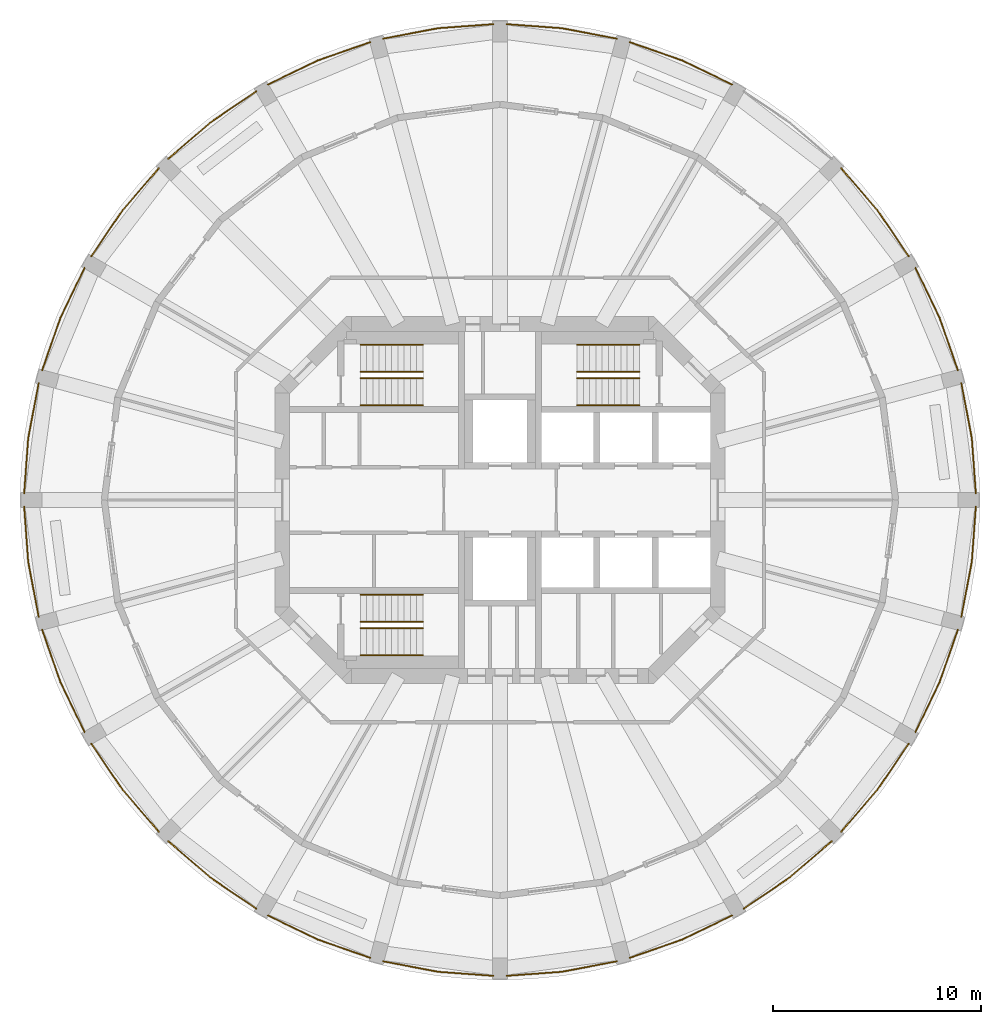
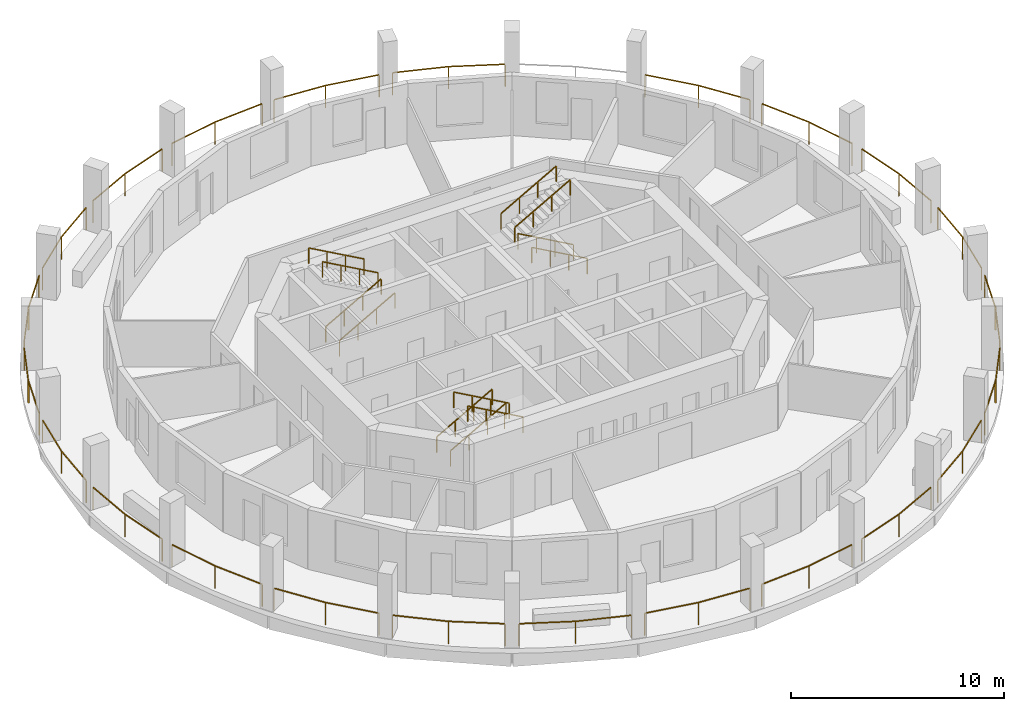
# One storey, part 8 of 9: 35 railings.
"""IFC4 building model written with IfcOpenShell, lengths in metres."""

from ifc_helpers import new_model, si_unit, direction, frame, origin, origin_2d, place, context, subcontext, project, spatial, rectangle, extrude, material, type_object, element, save


model = new_model("IFC4")

# Units and contexts
model_context = context("Model", 3, precision=1e-05, world=origin(), true_north=direction((0.0, 1.0)))
body_context = subcontext(model_context, "Body", "Model", "MODEL_VIEW")
ifc_project = project(units=[si_unit("LENGTHUNIT", "METRE"), si_unit("AREAUNIT", "SQUARE_METRE"), si_unit("VOLUMEUNIT", "CUBIC_METRE"), si_unit("PLANEANGLEUNIT", "RADIAN"), si_unit("MASSUNIT", "GRAM", prefix="KILO")], contexts=[model_context])

# Site, building, storey
site_placement = place(None, origin())
site = spatial("IfcSite", under=ifc_project, at=site_placement, CompositionType="ELEMENT")
building_placement = place(site_placement, origin())
building = spatial("IfcBuilding", under=site, at=building_placement, Name="Torre Triforio", CompositionType="ELEMENT")
storey_placement = place(building_placement, frame((0.0, 0.0, 169.0)))
storey = spatial("IfcBuildingStorey", under=building, at=storey_placement, Name="L38", CompositionType="ELEMENT", Elevation=169.0)

# Railings
ifc_material = material(Name="Stainless steel AISI 316", Category="steel")
railing_type_1 = type_object("IfcRailingType", Name="HANDRAIL 920", PredefinedType="HANDRAIL", material=ifc_material)
for number, where, name in (
    (1, (-6.699951171875, 4.550048828125, 0.168212890625), "Handrail ST1"),
    (2, (-6.699951171875, 5.85009765625, 0.168212890625), "Handrail ST1"),
):
    element("IfcRailing", number, at=place(storey_placement, frame(where)), inside=storey, type_object=railing_type_1, Name=name, PredefinedType="HANDRAIL", context=body_context, shape_type="SweptSolid", body=[
        extrude(rectangle(XDim=0.048095703125, YDim=0.048095703125, at=origin_2d()), frame((0.0, 0.0, 0.89599609375), z_axis=(0.872272294576, 0.0, 0.489020494575), x_axis=(0.0, 1.0, 0.0)), (0.0, 0.0, 1.0), 3.439208984375),
        extrude(rectangle(XDim=0.0419921875, YDim=0.0419921875, at=origin_2d()), origin(), (0.0, 0.0, 1.0), 0.871826171875),
        extrude(rectangle(XDim=0.0419921875, YDim=0.0419921875, at=origin_2d()), frame((1.0, 0.0, 0.560546875)), (0.0, 0.0, 1.0), 0.871826171875),
        extrude(rectangle(XDim=0.0419921875, YDim=0.0419921875, at=origin_2d()), frame((2.0, 0.0, 1.121337890625)), (0.0, 0.0, 1.0), 0.871826171875),
        extrude(rectangle(XDim=0.0419921875, YDim=0.0419921875, at=origin_2d()), frame((3.0, 0.0, 1.681884765625)), (0.0, 0.0, 1.0), 0.871826171875),
    ])
for number, where, name in (
    (3, (-3.699951171875, 7.449951171875, 2.01806640625), "Handrail ST1"),
    (4, (-3.699951171875, 6.14990234375, 2.01806640625), "Handrail ST1"),
    (5, (6.699951171875, 4.550048828125, 0.168212890625), "Handrail ST2"),
    (6, (6.699951171875, 5.85009765625, 0.168212890625), "Handrail ST2"),
):
    element("IfcRailing", number, at=place(storey_placement, frame(where)), inside=storey, type_object=railing_type_1, Name=name, PredefinedType="HANDRAIL", context=body_context, shape_type="SweptSolid", body=[
        extrude(rectangle(XDim=0.048095703125, YDim=0.048095703125, at=origin_2d()), frame((0.0, 0.0, 0.89599609375), z_axis=(-0.872272294576, 0.0, 0.489020494575), x_axis=(0.0, -1.0, 0.0)), (0.0, 0.0, 1.0), 3.439208984375),
        extrude(rectangle(XDim=0.0419921875, YDim=0.0419921875, at=origin_2d()), origin(), (0.0, 0.0, 1.0), 0.871826171875),
        extrude(rectangle(XDim=0.0419921875, YDim=0.0419921875, at=origin_2d()), frame((-1.0, 0.0, 0.560546875)), (0.0, 0.0, 1.0), 0.871826171875),
        extrude(rectangle(XDim=0.0419921875, YDim=0.0419921875, at=origin_2d()), frame((-2.0, 0.0, 1.121337890625)), (0.0, 0.0, 1.0), 0.871826171875),
        extrude(rectangle(XDim=0.0419921875, YDim=0.0419921875, at=origin_2d()), frame((-3.0, 0.0, 1.681884765625)), (0.0, 0.0, 1.0), 0.871826171875),
    ])
for number, where, name in (
    (7, (3.699951171875, 7.449951171875, 2.01806640625), "Handrail ST2"),
    (8, (3.699951171875, 6.14990234375, 2.01806640625), "Handrail ST2"),
    (9, (-6.699951171875, -4.550048828125, 0.168212890625), "Handrail ST3"),
    (10, (-6.699951171875, -5.85009765625, 0.168212890625), "Handrail ST3"),
):
    element("IfcRailing", number, at=place(storey_placement, frame(where)), inside=storey, type_object=railing_type_1, Name=name, PredefinedType="HANDRAIL", context=body_context, shape_type="SweptSolid", body=[
        extrude(rectangle(XDim=0.048095703125, YDim=0.048095703125, at=origin_2d()), frame((0.0, 0.0, 0.89599609375), z_axis=(0.872272294576, 0.0, 0.489020494575), x_axis=(0.0, 1.0, 0.0)), (0.0, 0.0, 1.0), 3.439208984375),
        extrude(rectangle(XDim=0.0419921875, YDim=0.0419921875, at=origin_2d()), origin(), (0.0, 0.0, 1.0), 0.871826171875),
        extrude(rectangle(XDim=0.0419921875, YDim=0.0419921875, at=origin_2d()), frame((1.0, 0.0, 0.560546875)), (0.0, 0.0, 1.0), 0.871826171875),
        extrude(rectangle(XDim=0.0419921875, YDim=0.0419921875, at=origin_2d()), frame((2.0, 0.0, 1.121337890625)), (0.0, 0.0, 1.0), 0.871826171875),
        extrude(rectangle(XDim=0.0419921875, YDim=0.0419921875, at=origin_2d()), frame((3.0, 0.0, 1.681884765625)), (0.0, 0.0, 1.0), 0.871826171875),
    ])
for number, where, name in (
    (11, (-3.699951171875, -7.449951171875, 2.01806640625), "Handrail ST3"),
    (12, (-3.699951171875, -6.14990234375, 2.01806640625), "Handrail ST3"),
):
    element("IfcRailing", number, at=place(storey_placement, frame(where)), inside=storey, type_object=railing_type_1, Name=name, PredefinedType="HANDRAIL", context=body_context, shape_type="SweptSolid", body=[
        extrude(rectangle(XDim=0.048095703125, YDim=0.048095703125, at=origin_2d()), frame((0.0, 0.0, 0.89599609375), z_axis=(-0.872272294576, 0.0, 0.489020494575), x_axis=(0.0, -1.0, 0.0)), (0.0, 0.0, 1.0), 3.439208984375),
        extrude(rectangle(XDim=0.0419921875, YDim=0.0419921875, at=origin_2d()), origin(), (0.0, 0.0, 1.0), 0.871826171875),
        extrude(rectangle(XDim=0.0419921875, YDim=0.0419921875, at=origin_2d()), frame((-1.0, 0.0, 0.560546875)), (0.0, 0.0, 1.0), 0.871826171875),
        extrude(rectangle(XDim=0.0419921875, YDim=0.0419921875, at=origin_2d()), frame((-2.0, 0.0, 1.121337890625)), (0.0, 0.0, 1.0), 0.871826171875),
        extrude(rectangle(XDim=0.0419921875, YDim=0.0419921875, at=origin_2d()), frame((-3.0, 0.0, 1.681884765625)), (0.0, 0.0, 1.0), 0.871826171875),
    ])
railing_type_2 = type_object("IfcRailingType", Name="Loggia guard 1300", PredefinedType="GUARDRAIL", material=ifc_material)
railing_1_placement = place(storey_placement, frame((22.85009765625, 0.320068359375, 0.0)))
element("IfcRailing", 13, at=railing_1_placement, inside=storey, type_object=railing_type_2, Name="Loggia guard L38 bay 01", PredefinedType="GUARDRAIL", context=body_context, shape_type="SweptSolid", body=[
    extrude(rectangle(XDim=0.050048828125, YDim=0.050048828125, at=origin_2d()), frame((0.0, 0.0, 1.27490234375), z_axis=(-0.073255194528, 0.997313228868, 0.0), x_axis=(-0.997313228868, -0.073255194528, 0.0)), (0.0, 0.0, 1.0), 2.66943359375),
    extrude(rectangle(XDim=0.050048828125, YDim=0.050048828125, at=origin_2d()), frame((-0.195556640625, 2.662353515625, 1.27490234375), z_axis=(-0.187368424401, 0.982289709575, 0.0), x_axis=(-0.982289709575, -0.187368424401, 0.0)), (0.0, 0.0, 1.0), 2.669921875),
    extrude(rectangle(XDim=0.0400390625, YDim=0.0400390625, at=origin_2d()), origin(), (0.0, 0.0, 1.0), 1.25),
    extrude(rectangle(XDim=0.0400390625, YDim=0.0400390625, at=origin_2d()), frame((-0.195556640625, 2.662353515625, 0.0)), (0.0, 0.0, 1.0), 1.25),
    extrude(rectangle(XDim=0.0400390625, YDim=0.0400390625, at=origin_2d()), frame((-0.69580078125, 5.284912109375, 0.0)), (0.0, 0.0, 1.0), 1.25),
])
railing_2_placement = place(storey_placement, frame((21.988525390625, 6.22314453125, 0.0)))
element("IfcRailing", 14, at=railing_2_placement, inside=storey, type_object=railing_type_2, Name="Loggia guard L38 bay 02", PredefinedType="GUARDRAIL", context=body_context, shape_type="SweptSolid", body=[
    extrude(rectangle(XDim=0.050048828125, YDim=0.050048828125, at=origin_2d()), frame((0.0, 0.0, 1.27490234375), z_axis=(-0.328846918852, 0.944383239984, 0.0), x_axis=(-0.944383239984, -0.328846918852, 0.0)), (0.0, 0.0, 1.0), 2.669677734375),
    extrude(rectangle(XDim=0.050048828125, YDim=0.050048828125, at=origin_2d()), frame((-0.8779296875, 2.521240234375, 1.27490234375), z_axis=(-0.435211903812, 0.900328050646, 0.0), x_axis=(-0.900328050646, -0.435211903812, 0.0)), (0.0, 0.0, 1.0), 2.669677734375),
    extrude(rectangle(XDim=0.0400390625, YDim=0.0400390625, at=origin_2d()), origin(), (0.0, 0.0, 1.0), 1.25),
    extrude(rectangle(XDim=0.0400390625, YDim=0.0400390625, at=origin_2d()), frame((-0.8779296875, 2.521240234375, 0.0)), (0.0, 0.0, 1.0), 1.25),
    extrude(rectangle(XDim=0.0400390625, YDim=0.0400390625, at=origin_2d()), frame((-2.039794921875, 4.9248046875, 0.0)), (0.0, 0.0, 1.0), 1.25),
])
railing_3_placement = place(storey_placement, frame((19.628662109375, 11.7021484375, 0.0)))
element("IfcRailing", 15, at=railing_3_placement, inside=storey, type_object=railing_type_2, Name="Loggia guard L38 bay 03", PredefinedType="GUARDRAIL", context=body_context, shape_type="SweptSolid", body=[
    extrude(rectangle(XDim=0.050048828125, YDim=0.050048828125, at=origin_2d()), frame((0.0, 0.0, 1.27490234375), z_axis=(-0.562064856935, 0.827093160774, 0.0), x_axis=(-0.827093160774, -0.562064856935, 0.0)), (0.0, 0.0, 1.0), 2.669677734375),
    extrude(rectangle(XDim=0.050048828125, YDim=0.050048828125, at=origin_2d()), frame((-1.50048828125, 2.2080078125, 1.27490234375), z_axis=(-0.653400799038, 0.757012150376, 0.0), x_axis=(-0.757012150376, -0.653400799038, 0.0)), (0.0, 0.0, 1.0), 2.669677734375),
    extrude(rectangle(XDim=0.0400390625, YDim=0.0400390625, at=origin_2d()), origin(), (0.0, 0.0, 1.0), 1.25),
    extrude(rectangle(XDim=0.0400390625, YDim=0.0400390625, at=origin_2d()), frame((-1.50048828125, 2.2080078125, 0.0)), (0.0, 0.0, 1.0), 1.25),
    extrude(rectangle(XDim=0.0400390625, YDim=0.0400390625, at=origin_2d()), frame((-3.244873046875, 4.22900390625, 0.0)), (0.0, 0.0, 1.0), 1.25),
])
railing_4_placement = place(storey_placement, frame((11.14794921875, 19.94873046875, 0.0)))
element("IfcRailing", 16, at=railing_4_placement, inside=storey, type_object=railing_type_2, Name="Loggia guard L38 bay 05", PredefinedType="GUARDRAIL", context=body_context, shape_type="SweptSolid", body=[
    extrude(rectangle(XDim=0.050048828125, YDim=0.050048828125, at=origin_2d()), frame((0.0, 0.0, 1.27490234375), z_axis=(-0.900328050646, 0.435211903812, 0.0), x_axis=(-0.435211903812, -0.900328050646, 0.0)), (0.0, 0.0, 1.0), 2.669677734375),
    extrude(rectangle(XDim=0.050048828125, YDim=0.050048828125, at=origin_2d()), frame((-2.403564453125, 1.161865234375, 1.27490234375), z_axis=(-0.944383239984, 0.328846918852, 0.0), x_axis=(-0.328846918852, -0.944383239984, 0.0)), (0.0, 0.0, 1.0), 2.669677734375),
    extrude(rectangle(XDim=0.0400390625, YDim=0.0400390625, at=origin_2d()), origin(), (0.0, 0.0, 1.0), 1.25),
    extrude(rectangle(XDim=0.0400390625, YDim=0.0400390625, at=origin_2d()), frame((-2.403564453125, 1.161865234375, 0.0)), (0.0, 0.0, 1.0), 1.25),
    extrude(rectangle(XDim=0.0400390625, YDim=0.0400390625, at=origin_2d()), frame((-4.9248046875, 2.039794921875, 0.0)), (0.0, 0.0, 1.0), 1.25),
])
railing_5_placement = place(storey_placement, frame((5.60498046875, 22.154296875, 0.0)))
element("IfcRailing", 17, at=railing_5_placement, inside=storey, type_object=railing_type_2, Name="Loggia guard L38 bay 06", PredefinedType="GUARDRAIL", context=body_context, shape_type="SweptSolid", body=[
    extrude(rectangle(XDim=0.050048828125, YDim=0.050048828125, at=origin_2d()), frame((0.0, 0.0, 1.27490234375), z_axis=(-0.982289709575, 0.187368424401, 0.0), x_axis=(-0.187368424401, -0.982289709575, 0.0)), (0.0, 0.0, 1.0), 2.669921875),
    extrude(rectangle(XDim=0.050048828125, YDim=0.050048828125, at=origin_2d()), frame((-2.62255859375, 0.500244140625, 1.27490234375), z_axis=(-0.997313228868, 0.073255194528, 0.0), x_axis=(-0.073255194528, -0.997313228868, 0.0)), (0.0, 0.0, 1.0), 2.66943359375),
    extrude(rectangle(XDim=0.0400390625, YDim=0.0400390625, at=origin_2d()), origin(), (0.0, 0.0, 1.0), 1.25),
    extrude(rectangle(XDim=0.0400390625, YDim=0.0400390625, at=origin_2d()), frame((-2.62255859375, 0.500244140625, 0.0)), (0.0, 0.0, 1.0), 1.25),
    extrude(rectangle(XDim=0.0400390625, YDim=0.0400390625, at=origin_2d()), frame((-5.284912109375, 0.69580078125, 0.0)), (0.0, 0.0, 1.0), 1.25),
])
railing_6_placement = place(storey_placement, frame((-0.320068359375, 22.85009765625, 0.0)))
element("IfcRailing", 18, at=railing_6_placement, inside=storey, type_object=railing_type_2, Name="Loggia guard L38 bay 07", PredefinedType="GUARDRAIL", context=body_context, shape_type="SweptSolid", body=[
    extrude(rectangle(XDim=0.050048828125, YDim=0.050048828125, at=origin_2d()), frame((0.0, 0.0, 1.27490234375), z_axis=(-0.997313228868, -0.073255194528, 0.0), x_axis=(0.073255194528, -0.997313228868, 0.0)), (0.0, 0.0, 1.0), 2.66943359375),
    extrude(rectangle(XDim=0.050048828125, YDim=0.050048828125, at=origin_2d()), frame((-2.662353515625, -0.195556640625, 1.27490234375), z_axis=(-0.982289709575, -0.187368424401, 0.0), x_axis=(0.187368424401, -0.982289709575, 0.0)), (0.0, 0.0, 1.0), 2.669921875),
    extrude(rectangle(XDim=0.0400390625, YDim=0.0400390625, at=origin_2d()), origin(), (0.0, 0.0, 1.0), 1.25),
    extrude(rectangle(XDim=0.0400390625, YDim=0.0400390625, at=origin_2d()), frame((-2.662353515625, -0.195556640625, 0.0)), (0.0, 0.0, 1.0), 1.25),
    extrude(rectangle(XDim=0.0400390625, YDim=0.0400390625, at=origin_2d()), frame((-5.284912109375, -0.69580078125, 0.0)), (0.0, 0.0, 1.0), 1.25),
])
railing_7_placement = place(storey_placement, frame((-6.22314453125, 21.988525390625, 0.0)))
element("IfcRailing", 19, at=railing_7_placement, inside=storey, type_object=railing_type_2, Name="Loggia guard L38 bay 08", PredefinedType="GUARDRAIL", context=body_context, shape_type="SweptSolid", body=[
    extrude(rectangle(XDim=0.050048828125, YDim=0.050048828125, at=origin_2d()), frame((0.0, 0.0, 1.27490234375), z_axis=(-0.944383239984, -0.328846918852, 0.0), x_axis=(0.328846918852, -0.944383239984, 0.0)), (0.0, 0.0, 1.0), 2.669677734375),
    extrude(rectangle(XDim=0.050048828125, YDim=0.050048828125, at=origin_2d()), frame((-2.521240234375, -0.8779296875, 1.27490234375), z_axis=(-0.900328050646, -0.435211903812, 0.0), x_axis=(0.435211903812, -0.900328050646, 0.0)), (0.0, 0.0, 1.0), 2.669677734375),
    extrude(rectangle(XDim=0.0400390625, YDim=0.0400390625, at=origin_2d()), origin(), (0.0, 0.0, 1.0), 1.25),
    extrude(rectangle(XDim=0.0400390625, YDim=0.0400390625, at=origin_2d()), frame((-2.521240234375, -0.8779296875, 0.0)), (0.0, 0.0, 1.0), 1.25),
    extrude(rectangle(XDim=0.0400390625, YDim=0.0400390625, at=origin_2d()), frame((-4.9248046875, -2.039794921875, 0.0)), (0.0, 0.0, 1.0), 1.25),
])
railing_8_placement = place(storey_placement, frame((-11.7021484375, 19.628662109375, 0.0)))
element("IfcRailing", 20, at=railing_8_placement, inside=storey, type_object=railing_type_2, Name="Loggia guard L38 bay 09", PredefinedType="GUARDRAIL", context=body_context, shape_type="SweptSolid", body=[
    extrude(rectangle(XDim=0.050048828125, YDim=0.050048828125, at=origin_2d()), frame((0.0, 0.0, 1.27490234375), z_axis=(-0.827093160774, -0.562064856935, 0.0), x_axis=(0.562064856935, -0.827093160774, 0.0)), (0.0, 0.0, 1.0), 2.669677734375),
    extrude(rectangle(XDim=0.050048828125, YDim=0.050048828125, at=origin_2d()), frame((-2.2080078125, -1.50048828125, 1.27490234375), z_axis=(-0.757012150376, -0.653400799038, 0.0), x_axis=(0.653400799038, -0.757012150376, 0.0)), (0.0, 0.0, 1.0), 2.669677734375),
    extrude(rectangle(XDim=0.0400390625, YDim=0.0400390625, at=origin_2d()), origin(), (0.0, 0.0, 1.0), 1.25),
    extrude(rectangle(XDim=0.0400390625, YDim=0.0400390625, at=origin_2d()), frame((-2.2080078125, -1.50048828125, 0.0)), (0.0, 0.0, 1.0), 1.25),
    extrude(rectangle(XDim=0.0400390625, YDim=0.0400390625, at=origin_2d()), frame((-4.22900390625, -3.244873046875, 0.0)), (0.0, 0.0, 1.0), 1.25),
])
railing_9_placement = place(storey_placement, frame((-16.3837890625, 15.93115234375, 0.0)))
element("IfcRailing", 21, at=railing_9_placement, inside=storey, type_object=railing_type_2, Name="Loggia guard L38 bay 10", PredefinedType="GUARDRAIL", context=body_context, shape_type="SweptSolid", body=[
    extrude(rectangle(XDim=0.050048828125, YDim=0.050048828125, at=origin_2d()), frame((0.0, 0.0, 1.27490234375), z_axis=(-0.653400799038, -0.757012150376, 0.0), x_axis=(0.757012150376, -0.653400799038, 0.0)), (0.0, 0.0, 1.0), 2.669677734375),
    extrude(rectangle(XDim=0.050048828125, YDim=0.050048828125, at=origin_2d()), frame((-1.744384765625, -2.02099609375, 1.27490234375), z_axis=(-0.562064856935, -0.827093160774, 0.0), x_axis=(0.827093160774, -0.562064856935, 0.0)), (0.0, 0.0, 1.0), 2.669677734375),
    extrude(rectangle(XDim=0.0400390625, YDim=0.0400390625, at=origin_2d()), origin(), (0.0, 0.0, 1.0), 1.25),
    extrude(rectangle(XDim=0.0400390625, YDim=0.0400390625, at=origin_2d()), frame((-1.744384765625, -2.02099609375, 0.0)), (0.0, 0.0, 1.0), 1.25),
    extrude(rectangle(XDim=0.0400390625, YDim=0.0400390625, at=origin_2d()), frame((-3.244873046875, -4.22900390625, 0.0)), (0.0, 0.0, 1.0), 1.25),
])
railing_10_placement = place(storey_placement, frame((-19.94873046875, 11.14794921875, 0.0)))
element("IfcRailing", 22, at=railing_10_placement, inside=storey, type_object=railing_type_2, Name="Loggia guard L38 bay 11", PredefinedType="GUARDRAIL", context=body_context, shape_type="SweptSolid", body=[
    extrude(rectangle(XDim=0.050048828125, YDim=0.050048828125, at=origin_2d()), frame((0.0, 0.0, 1.27490234375), z_axis=(-0.435211903812, -0.900328050646, 0.0), x_axis=(0.900328050646, -0.435211903812, 0.0)), (0.0, 0.0, 1.0), 2.669677734375),
    extrude(rectangle(XDim=0.050048828125, YDim=0.050048828125, at=origin_2d()), frame((-1.161865234375, -2.403564453125, 1.27490234375), z_axis=(-0.328846918852, -0.944383239984, 0.0), x_axis=(0.944383239984, -0.328846918852, 0.0)), (0.0, 0.0, 1.0), 2.669677734375),
    extrude(rectangle(XDim=0.0400390625, YDim=0.0400390625, at=origin_2d()), origin(), (0.0, 0.0, 1.0), 1.25),
    extrude(rectangle(XDim=0.0400390625, YDim=0.0400390625, at=origin_2d()), frame((-1.161865234375, -2.403564453125, 0.0)), (0.0, 0.0, 1.0), 1.25),
    extrude(rectangle(XDim=0.0400390625, YDim=0.0400390625, at=origin_2d()), frame((-2.039794921875, -4.9248046875, 0.0)), (0.0, 0.0, 1.0), 1.25),
])
railing_11_placement = place(storey_placement, frame((-22.154296875, 5.60498046875, 0.0)))
element("IfcRailing", 23, at=railing_11_placement, inside=storey, type_object=railing_type_2, Name="Loggia guard L38 bay 12", PredefinedType="GUARDRAIL", context=body_context, shape_type="SweptSolid", body=[
    extrude(rectangle(XDim=0.050048828125, YDim=0.050048828125, at=origin_2d()), frame((0.0, 0.0, 1.27490234375), z_axis=(-0.187368424401, -0.982289709575, 0.0), x_axis=(0.982289709575, -0.187368424401, 0.0)), (0.0, 0.0, 1.0), 2.669921875),
    extrude(rectangle(XDim=0.050048828125, YDim=0.050048828125, at=origin_2d()), frame((-0.500244140625, -2.62255859375, 1.27490234375), z_axis=(-0.073255194528, -0.997313228868, 0.0), x_axis=(0.997313228868, -0.073255194528, 0.0)), (0.0, 0.0, 1.0), 2.66943359375),
    extrude(rectangle(XDim=0.0400390625, YDim=0.0400390625, at=origin_2d()), origin(), (0.0, 0.0, 1.0), 1.25),
    extrude(rectangle(XDim=0.0400390625, YDim=0.0400390625, at=origin_2d()), frame((-0.500244140625, -2.62255859375, 0.0)), (0.0, 0.0, 1.0), 1.25),
    extrude(rectangle(XDim=0.0400390625, YDim=0.0400390625, at=origin_2d()), frame((-0.69580078125, -5.284912109375, 0.0)), (0.0, 0.0, 1.0), 1.25),
])
railing_12_placement = place(storey_placement, frame((-22.85009765625, -0.320068359375, 0.0)))
element("IfcRailing", 24, at=railing_12_placement, inside=storey, type_object=railing_type_2, Name="Loggia guard L38 bay 13", PredefinedType="GUARDRAIL", context=body_context, shape_type="SweptSolid", body=[
    extrude(rectangle(XDim=0.050048828125, YDim=0.050048828125, at=origin_2d()), frame((0.0, 0.0, 1.27490234375), z_axis=(0.073255194528, -0.997313228868, 0.0), x_axis=(0.997313228868, 0.073255194528, 0.0)), (0.0, 0.0, 1.0), 2.66943359375),
    extrude(rectangle(XDim=0.050048828125, YDim=0.050048828125, at=origin_2d()), frame((0.195556640625, -2.662353515625, 1.27490234375), z_axis=(0.187368424401, -0.982289709575, 0.0), x_axis=(0.982289709575, 0.187368424401, 0.0)), (0.0, 0.0, 1.0), 2.669921875),
    extrude(rectangle(XDim=0.0400390625, YDim=0.0400390625, at=origin_2d()), origin(), (0.0, 0.0, 1.0), 1.25),
    extrude(rectangle(XDim=0.0400390625, YDim=0.0400390625, at=origin_2d()), frame((0.195556640625, -2.662353515625, 0.0)), (0.0, 0.0, 1.0), 1.25),
    extrude(rectangle(XDim=0.0400390625, YDim=0.0400390625, at=origin_2d()), frame((0.69580078125, -5.284912109375, 0.0)), (0.0, 0.0, 1.0), 1.25),
])
railing_13_placement = place(storey_placement, frame((-21.988525390625, -6.22314453125, 0.0)))
element("IfcRailing", 25, at=railing_13_placement, inside=storey, type_object=railing_type_2, Name="Loggia guard L38 bay 14", PredefinedType="GUARDRAIL", context=body_context, shape_type="SweptSolid", body=[
    extrude(rectangle(XDim=0.050048828125, YDim=0.050048828125, at=origin_2d()), frame((0.0, 0.0, 1.27490234375), z_axis=(0.328846918852, -0.944383239984, 0.0), x_axis=(0.944383239984, 0.328846918852, 0.0)), (0.0, 0.0, 1.0), 2.669677734375),
    extrude(rectangle(XDim=0.050048828125, YDim=0.050048828125, at=origin_2d()), frame((0.8779296875, -2.521240234375, 1.27490234375), z_axis=(0.435211903812, -0.900328050646, 0.0), x_axis=(0.900328050646, 0.435211903812, 0.0)), (0.0, 0.0, 1.0), 2.669677734375),
    extrude(rectangle(XDim=0.0400390625, YDim=0.0400390625, at=origin_2d()), origin(), (0.0, 0.0, 1.0), 1.25),
    extrude(rectangle(XDim=0.0400390625, YDim=0.0400390625, at=origin_2d()), frame((0.8779296875, -2.521240234375, 0.0)), (0.0, 0.0, 1.0), 1.25),
    extrude(rectangle(XDim=0.0400390625, YDim=0.0400390625, at=origin_2d()), frame((2.039794921875, -4.9248046875, 0.0)), (0.0, 0.0, 1.0), 1.25),
])
railing_14_placement = place(storey_placement, frame((-19.628662109375, -11.7021484375, 0.0)))
element("IfcRailing", 26, at=railing_14_placement, inside=storey, type_object=railing_type_2, Name="Loggia guard L38 bay 15", PredefinedType="GUARDRAIL", context=body_context, shape_type="SweptSolid", body=[
    extrude(rectangle(XDim=0.050048828125, YDim=0.050048828125, at=origin_2d()), frame((0.0, 0.0, 1.27490234375), z_axis=(0.562064856935, -0.827093160774, 0.0), x_axis=(0.827093160774, 0.562064856935, 0.0)), (0.0, 0.0, 1.0), 2.669677734375),
    extrude(rectangle(XDim=0.050048828125, YDim=0.050048828125, at=origin_2d()), frame((1.50048828125, -2.2080078125, 1.27490234375), z_axis=(0.653400799038, -0.757012150376, 0.0), x_axis=(0.757012150376, 0.653400799038, 0.0)), (0.0, 0.0, 1.0), 2.669677734375),
    extrude(rectangle(XDim=0.0400390625, YDim=0.0400390625, at=origin_2d()), origin(), (0.0, 0.0, 1.0), 1.25),
    extrude(rectangle(XDim=0.0400390625, YDim=0.0400390625, at=origin_2d()), frame((1.50048828125, -2.2080078125, 0.0)), (0.0, 0.0, 1.0), 1.25),
    extrude(rectangle(XDim=0.0400390625, YDim=0.0400390625, at=origin_2d()), frame((3.244873046875, -4.22900390625, 0.0)), (0.0, 0.0, 1.0), 1.25),
])
railing_15_placement = place(storey_placement, frame((-15.93115234375, -16.3837890625, 0.0)))
element("IfcRailing", 27, at=railing_15_placement, inside=storey, type_object=railing_type_2, Name="Loggia guard L38 bay 16", PredefinedType="GUARDRAIL", context=body_context, shape_type="SweptSolid", body=[
    extrude(rectangle(XDim=0.050048828125, YDim=0.050048828125, at=origin_2d()), frame((0.0, 0.0, 1.27490234375), z_axis=(0.757012150376, -0.653400799038, 0.0), x_axis=(0.653400799038, 0.757012150376, 0.0)), (0.0, 0.0, 1.0), 2.669677734375),
    extrude(rectangle(XDim=0.050048828125, YDim=0.050048828125, at=origin_2d()), frame((2.02099609375, -1.744384765625, 1.27490234375), z_axis=(0.827093160774, -0.562064856935, 0.0), x_axis=(0.562064856935, 0.827093160774, 0.0)), (0.0, 0.0, 1.0), 2.669677734375),
    extrude(rectangle(XDim=0.0400390625, YDim=0.0400390625, at=origin_2d()), origin(), (0.0, 0.0, 1.0), 1.25),
    extrude(rectangle(XDim=0.0400390625, YDim=0.0400390625, at=origin_2d()), frame((2.02099609375, -1.744384765625, 0.0)), (0.0, 0.0, 1.0), 1.25),
    extrude(rectangle(XDim=0.0400390625, YDim=0.0400390625, at=origin_2d()), frame((4.22900390625, -3.244873046875, 0.0)), (0.0, 0.0, 1.0), 1.25),
])
railing_16_placement = place(storey_placement, frame((-11.14794921875, -19.94873046875, 0.0)))
element("IfcRailing", 28, at=railing_16_placement, inside=storey, type_object=railing_type_2, Name="Loggia guard L38 bay 17", PredefinedType="GUARDRAIL", context=body_context, shape_type="SweptSolid", body=[
    extrude(rectangle(XDim=0.050048828125, YDim=0.050048828125, at=origin_2d()), frame((0.0, 0.0, 1.27490234375), z_axis=(0.900328050646, -0.435211903812, 0.0), x_axis=(0.435211903812, 0.900328050646, 0.0)), (0.0, 0.0, 1.0), 2.669677734375),
    extrude(rectangle(XDim=0.050048828125, YDim=0.050048828125, at=origin_2d()), frame((2.403564453125, -1.161865234375, 1.27490234375), z_axis=(0.944383239984, -0.328846918852, 0.0), x_axis=(0.328846918852, 0.944383239984, 0.0)), (0.0, 0.0, 1.0), 2.669677734375),
    extrude(rectangle(XDim=0.0400390625, YDim=0.0400390625, at=origin_2d()), origin(), (0.0, 0.0, 1.0), 1.25),
    extrude(rectangle(XDim=0.0400390625, YDim=0.0400390625, at=origin_2d()), frame((2.403564453125, -1.161865234375, 0.0)), (0.0, 0.0, 1.0), 1.25),
    extrude(rectangle(XDim=0.0400390625, YDim=0.0400390625, at=origin_2d()), frame((4.9248046875, -2.039794921875, 0.0)), (0.0, 0.0, 1.0), 1.25),
])
railing_17_placement = place(storey_placement, frame((-5.60498046875, -22.154296875, 0.0)))
element("IfcRailing", 29, at=railing_17_placement, inside=storey, type_object=railing_type_2, Name="Loggia guard L38 bay 18", PredefinedType="GUARDRAIL", context=body_context, shape_type="SweptSolid", body=[
    extrude(rectangle(XDim=0.050048828125, YDim=0.050048828125, at=origin_2d()), frame((0.0, 0.0, 1.27490234375), z_axis=(0.982289709575, -0.187368424401, 0.0), x_axis=(0.187368424401, 0.982289709575, 0.0)), (0.0, 0.0, 1.0), 2.669921875),
    extrude(rectangle(XDim=0.050048828125, YDim=0.050048828125, at=origin_2d()), frame((2.62255859375, -0.500244140625, 1.27490234375), z_axis=(0.997313228868, -0.073255194528, 0.0), x_axis=(0.073255194528, 0.997313228868, 0.0)), (0.0, 0.0, 1.0), 2.66943359375),
    extrude(rectangle(XDim=0.0400390625, YDim=0.0400390625, at=origin_2d()), origin(), (0.0, 0.0, 1.0), 1.25),
    extrude(rectangle(XDim=0.0400390625, YDim=0.0400390625, at=origin_2d()), frame((2.62255859375, -0.500244140625, 0.0)), (0.0, 0.0, 1.0), 1.25),
    extrude(rectangle(XDim=0.0400390625, YDim=0.0400390625, at=origin_2d()), frame((5.284912109375, -0.69580078125, 0.0)), (0.0, 0.0, 1.0), 1.25),
])
railing_18_placement = place(storey_placement, frame((0.320068359375, -22.85009765625, 0.0)))
element("IfcRailing", 30, at=railing_18_placement, inside=storey, type_object=railing_type_2, Name="Loggia guard L38 bay 19", PredefinedType="GUARDRAIL", context=body_context, shape_type="SweptSolid", body=[
    extrude(rectangle(XDim=0.050048828125, YDim=0.050048828125, at=origin_2d()), frame((0.0, 0.0, 1.27490234375), z_axis=(0.997313228868, 0.073255194528, 0.0), x_axis=(-0.073255194528, 0.997313228868, 0.0)), (0.0, 0.0, 1.0), 2.66943359375),
    extrude(rectangle(XDim=0.050048828125, YDim=0.050048828125, at=origin_2d()), frame((2.662353515625, 0.195556640625, 1.27490234375), z_axis=(0.982289709575, 0.187368424401, 0.0), x_axis=(-0.187368424401, 0.982289709575, 0.0)), (0.0, 0.0, 1.0), 2.669921875),
    extrude(rectangle(XDim=0.0400390625, YDim=0.0400390625, at=origin_2d()), origin(), (0.0, 0.0, 1.0), 1.25),
    extrude(rectangle(XDim=0.0400390625, YDim=0.0400390625, at=origin_2d()), frame((2.662353515625, 0.195556640625, 0.0)), (0.0, 0.0, 1.0), 1.25),
    extrude(rectangle(XDim=0.0400390625, YDim=0.0400390625, at=origin_2d()), frame((5.284912109375, 0.69580078125, 0.0)), (0.0, 0.0, 1.0), 1.25),
])
railing_19_placement = place(storey_placement, frame((6.22314453125, -21.988525390625, 0.0)))
element("IfcRailing", 31, at=railing_19_placement, inside=storey, type_object=railing_type_2, Name="Loggia guard L38 bay 20", PredefinedType="GUARDRAIL", context=body_context, shape_type="SweptSolid", body=[
    extrude(rectangle(XDim=0.050048828125, YDim=0.050048828125, at=origin_2d()), frame((0.0, 0.0, 1.27490234375), z_axis=(0.944383239984, 0.328846918852, 0.0), x_axis=(-0.328846918852, 0.944383239984, 0.0)), (0.0, 0.0, 1.0), 2.669677734375),
    extrude(rectangle(XDim=0.050048828125, YDim=0.050048828125, at=origin_2d()), frame((2.521240234375, 0.8779296875, 1.27490234375), z_axis=(0.900328050646, 0.435211903812, 0.0), x_axis=(-0.435211903812, 0.900328050646, 0.0)), (0.0, 0.0, 1.0), 2.669677734375),
    extrude(rectangle(XDim=0.0400390625, YDim=0.0400390625, at=origin_2d()), origin(), (0.0, 0.0, 1.0), 1.25),
    extrude(rectangle(XDim=0.0400390625, YDim=0.0400390625, at=origin_2d()), frame((2.521240234375, 0.8779296875, 0.0)), (0.0, 0.0, 1.0), 1.25),
    extrude(rectangle(XDim=0.0400390625, YDim=0.0400390625, at=origin_2d()), frame((4.9248046875, 2.039794921875, 0.0)), (0.0, 0.0, 1.0), 1.25),
])
railing_20_placement = place(storey_placement, frame((11.7021484375, -19.628662109375, 0.0)))
element("IfcRailing", 32, at=railing_20_placement, inside=storey, type_object=railing_type_2, Name="Loggia guard L38 bay 21", PredefinedType="GUARDRAIL", context=body_context, shape_type="SweptSolid", body=[
    extrude(rectangle(XDim=0.050048828125, YDim=0.050048828125, at=origin_2d()), frame((0.0, 0.0, 1.27490234375), z_axis=(0.827093160774, 0.562064856935, 0.0), x_axis=(-0.562064856935, 0.827093160774, 0.0)), (0.0, 0.0, 1.0), 2.669677734375),
    extrude(rectangle(XDim=0.050048828125, YDim=0.050048828125, at=origin_2d()), frame((2.2080078125, 1.50048828125, 1.27490234375), z_axis=(0.757012150376, 0.653400799038, 0.0), x_axis=(-0.653400799038, 0.757012150376, 0.0)), (0.0, 0.0, 1.0), 2.669677734375),
    extrude(rectangle(XDim=0.0400390625, YDim=0.0400390625, at=origin_2d()), origin(), (0.0, 0.0, 1.0), 1.25),
    extrude(rectangle(XDim=0.0400390625, YDim=0.0400390625, at=origin_2d()), frame((2.2080078125, 1.50048828125, 0.0)), (0.0, 0.0, 1.0), 1.25),
    extrude(rectangle(XDim=0.0400390625, YDim=0.0400390625, at=origin_2d()), frame((4.22900390625, 3.244873046875, 0.0)), (0.0, 0.0, 1.0), 1.25),
])
railing_21_placement = place(storey_placement, frame((16.3837890625, -15.93115234375, 0.0)))
element("IfcRailing", 33, at=railing_21_placement, inside=storey, type_object=railing_type_2, Name="Loggia guard L38 bay 22", PredefinedType="GUARDRAIL", context=body_context, shape_type="SweptSolid", body=[
    extrude(rectangle(XDim=0.050048828125, YDim=0.050048828125, at=origin_2d()), frame((0.0, 0.0, 1.27490234375), z_axis=(0.653400799038, 0.757012150376, 0.0), x_axis=(-0.757012150376, 0.653400799038, 0.0)), (0.0, 0.0, 1.0), 2.669677734375),
    extrude(rectangle(XDim=0.050048828125, YDim=0.050048828125, at=origin_2d()), frame((1.744384765625, 2.02099609375, 1.27490234375), z_axis=(0.562064856935, 0.827093160774, 0.0), x_axis=(-0.827093160774, 0.562064856935, 0.0)), (0.0, 0.0, 1.0), 2.669677734375),
    extrude(rectangle(XDim=0.0400390625, YDim=0.0400390625, at=origin_2d()), origin(), (0.0, 0.0, 1.0), 1.25),
    extrude(rectangle(XDim=0.0400390625, YDim=0.0400390625, at=origin_2d()), frame((1.744384765625, 2.02099609375, 0.0)), (0.0, 0.0, 1.0), 1.25),
    extrude(rectangle(XDim=0.0400390625, YDim=0.0400390625, at=origin_2d()), frame((3.244873046875, 4.22900390625, 0.0)), (0.0, 0.0, 1.0), 1.25),
])
railing_22_placement = place(storey_placement, frame((19.94873046875, -11.14794921875, 0.0)))
element("IfcRailing", 34, at=railing_22_placement, inside=storey, type_object=railing_type_2, Name="Loggia guard L38 bay 23", PredefinedType="GUARDRAIL", context=body_context, shape_type="SweptSolid", body=[
    extrude(rectangle(XDim=0.050048828125, YDim=0.050048828125, at=origin_2d()), frame((0.0, 0.0, 1.27490234375), z_axis=(0.435211903812, 0.900328050646, 0.0), x_axis=(-0.900328050646, 0.435211903812, 0.0)), (0.0, 0.0, 1.0), 2.669677734375),
    extrude(rectangle(XDim=0.050048828125, YDim=0.050048828125, at=origin_2d()), frame((1.161865234375, 2.403564453125, 1.27490234375), z_axis=(0.328846918852, 0.944383239984, 0.0), x_axis=(-0.944383239984, 0.328846918852, 0.0)), (0.0, 0.0, 1.0), 2.669677734375),
    extrude(rectangle(XDim=0.0400390625, YDim=0.0400390625, at=origin_2d()), origin(), (0.0, 0.0, 1.0), 1.25),
    extrude(rectangle(XDim=0.0400390625, YDim=0.0400390625, at=origin_2d()), frame((1.161865234375, 2.403564453125, 0.0)), (0.0, 0.0, 1.0), 1.25),
    extrude(rectangle(XDim=0.0400390625, YDim=0.0400390625, at=origin_2d()), frame((2.039794921875, 4.9248046875, 0.0)), (0.0, 0.0, 1.0), 1.25),
])
railing_23_placement = place(storey_placement, frame((22.154296875, -5.60498046875, 0.0)))
element("IfcRailing", 35, at=railing_23_placement, inside=storey, type_object=railing_type_2, Name="Loggia guard L38 bay 24", PredefinedType="GUARDRAIL", context=body_context, shape_type="SweptSolid", body=[
    extrude(rectangle(XDim=0.050048828125, YDim=0.050048828125, at=origin_2d()), frame((0.0, 0.0, 1.27490234375), z_axis=(0.187368424401, 0.982289709575, 0.0), x_axis=(-0.982289709575, 0.187368424401, 0.0)), (0.0, 0.0, 1.0), 2.669921875),
    extrude(rectangle(XDim=0.050048828125, YDim=0.050048828125, at=origin_2d()), frame((0.500244140625, 2.62255859375, 1.27490234375), z_axis=(0.073255194528, 0.997313228868, 0.0), x_axis=(-0.997313228868, 0.073255194528, 0.0)), (0.0, 0.0, 1.0), 2.66943359375),
    extrude(rectangle(XDim=0.0400390625, YDim=0.0400390625, at=origin_2d()), origin(), (0.0, 0.0, 1.0), 1.25),
    extrude(rectangle(XDim=0.0400390625, YDim=0.0400390625, at=origin_2d()), frame((0.500244140625, 2.62255859375, 0.0)), (0.0, 0.0, 1.0), 1.25),
    extrude(rectangle(XDim=0.0400390625, YDim=0.0400390625, at=origin_2d()), frame((0.69580078125, 5.284912109375, 0.0)), (0.0, 0.0, 1.0), 1.25),
])

save(model, "model.ifc")
